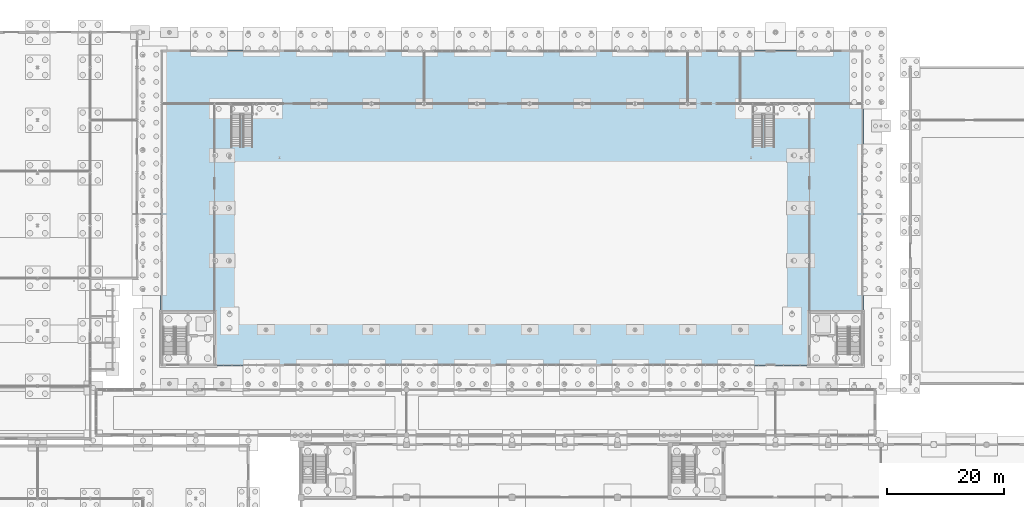
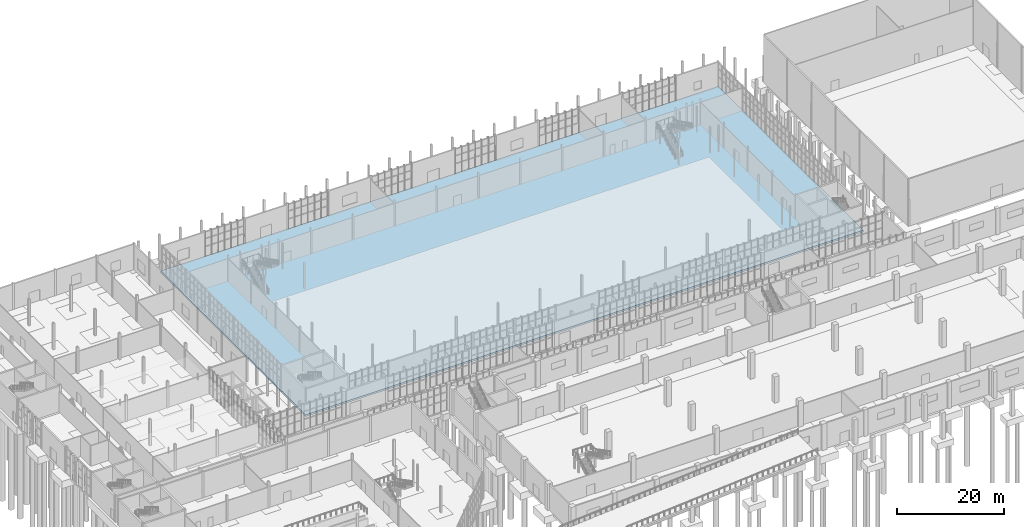
# One storey, part 85 of 131: 1 slab.
"""IFC4 building model written with IfcOpenShell, lengths in metres."""

from ifc_helpers import new_model, si_unit, direction, frame, origin, place, context, subcontext, project, spatial, polyline, outline, extrude, material, layer, layer_set, type_object, element, save


model = new_model("IFC4")

# Units and contexts
model_context = context("Model", 3, precision=1e-05, world=origin(), true_north=direction((0.0, 1.0)))
body_context = subcontext(model_context, "Body", "Model", "MODEL_VIEW")
ifc_project = project(units=[si_unit("LENGTHUNIT", "METRE"), si_unit("AREAUNIT", "SQUARE_METRE"), si_unit("VOLUMEUNIT", "CUBIC_METRE"), si_unit("PLANEANGLEUNIT", "RADIAN"), si_unit("MASSUNIT", "GRAM", prefix="KILO")], contexts=[model_context])

# Site, building, storey
site_placement = place(None, origin())
site = spatial("IfcSite", under=ifc_project, at=site_placement, CompositionType="ELEMENT")
building_placement = place(site_placement, origin())
building = spatial("IfcBuilding", under=site, at=building_placement, Name="Cazmaro Siding Exhibition Halls", CompositionType="ELEMENT")
storey_placement = place(building_placement, origin())
storey = spatial("IfcBuildingStorey", under=building, at=storey_placement, Name="L00", CompositionType="ELEMENT", Elevation=0.0)

# Slab
ifc_material = material(Name="Concrete f'c 35 MPa", Category="concrete")
ifc_layer = layer(ifc_material, 0.409912109375)
ifc_layer_set = layer_set([ifc_layer], Name="Concrete f'c 35 MPa")
slab_type = type_object("IfcSlabType", Name="BS-01", PredefinedType="BASESLAB", material=ifc_layer_set)
slab_placement = place(storey_placement, frame((0.0, 0.0, -0.409912109375)))
element("IfcSlab", 1, at=slab_placement, inside=storey, type_object=slab_type, Name="Primary Hall A base slab BS-01 SLB-0001", PredefinedType="BASESLAB", context=body_context, shape_type="SweptSolid", body=[
    extrude(outline(polyline([(48.0, 67.0), (168.0, 67.0), (168.0, 121.0), (48.0, 121.0), (48.0, 67.0)])), origin(), (0.0, 0.0, 1.0), 0.409912109375),
])

save(model, "model.ifc")
